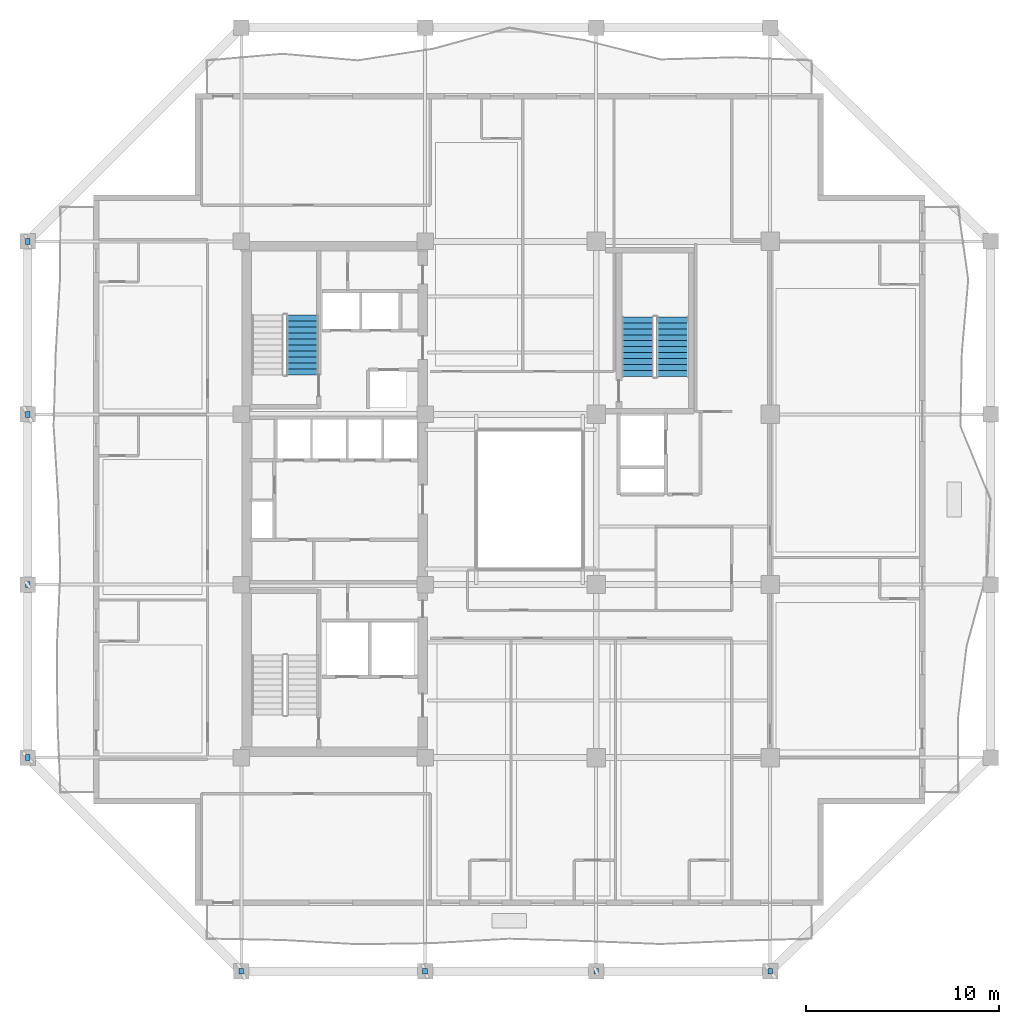
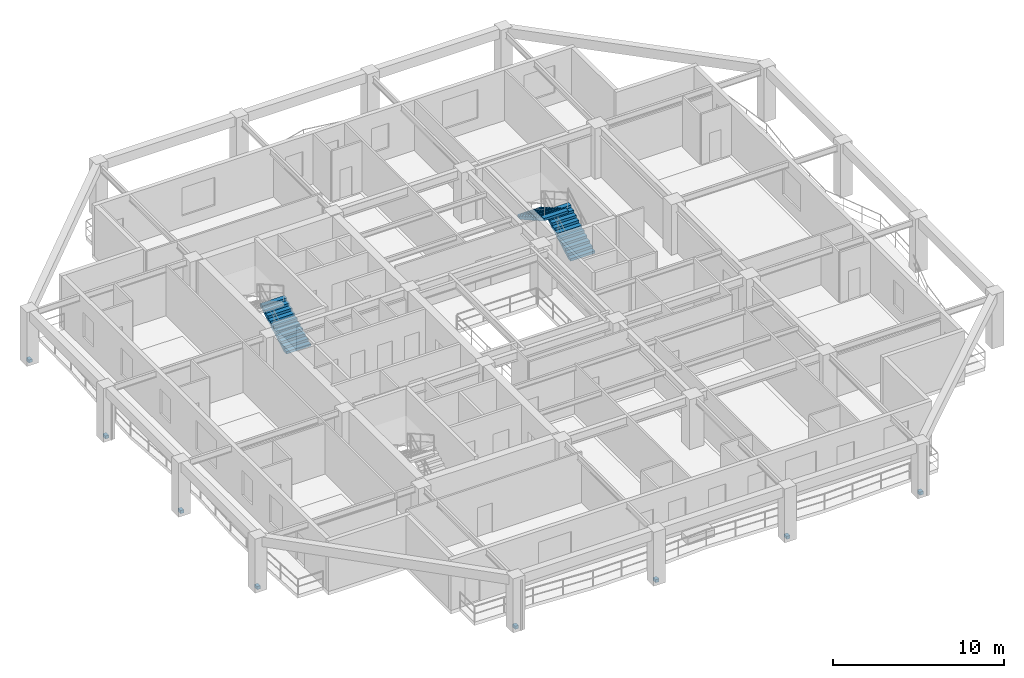
# One storey, part 7 of 13: 8 discrete accessories, 3 stair flights, 2 elements without a shape of their own.
"""IFC4 building model written with IfcOpenShell, lengths in metres."""

from ifc_helpers import new_model, si_unit, direction, frame, origin, origin_2d, place, context, subcontext, project, spatial, polyline, rectangle, outline, extrude, material, type_object, element, aggregate, save


model = new_model("IFC4")

# Units and contexts
model_context = context("Model", 3, precision=1e-05, world=origin(), true_north=direction((0.0, 1.0)))
body_context = subcontext(model_context, "Body", "Model", "MODEL_VIEW")
ifc_project = project(units=[si_unit("LENGTHUNIT", "METRE"), si_unit("AREAUNIT", "SQUARE_METRE"), si_unit("VOLUMEUNIT", "CUBIC_METRE"), si_unit("PLANEANGLEUNIT", "RADIAN"), si_unit("MASSUNIT", "GRAM", prefix="KILO")], contexts=[model_context])

# Site, building, storey
site_placement = place(None, origin())
site = spatial("IfcSite", under=ifc_project, at=site_placement, CompositionType="ELEMENT")
building_placement = place(site_placement, origin())
building = spatial("IfcBuilding", under=site, at=building_placement, Name="Kundavana Baori Tower", CompositionType="ELEMENT")
storey_placement = place(building_placement, frame((0.0, 0.0, 181.0)))
storey = spatial("IfcBuildingStorey", under=building, at=storey_placement, Name="L44", CompositionType="ELEMENT", Elevation=181.0)

# Stair, stair flight
ifc_material_1 = material(Name="Concrete C40/50", Category="concrete")
stair_type = type_object("IfcStairType", Name="STR-DOG-1650", PredefinedType="HALF_TURN_STAIR", material=ifc_material_1)
stair_1_placement = place(storey_placement, origin())
stair_1 = element("IfcStair", 1, at=stair_1_placement, inside=storey, type_object=stair_type, Name="L44 Protected Exit Stair ST2", PredefinedType="HALF_TURN_STAIR")
ifc_material_2 = material(Name="Concrete C40/50", Category="concrete")
stair_flight_type = type_object("IfcStairFlightType", Name="SFL-RC-1650", PredefinedType="STRAIGHT", material=ifc_material_2)
stair_flight_1_placement = place(storey_placement, frame((18.614990234375, 35.050048828125, 0.0), z_axis=(0.0, 0.0, 1.0), x_axis=(0.0, 1.0, 0.0)))
stair_flight_1 = element("IfcStairFlight", 2, at=stair_flight_1_placement, type_object=stair_flight_type, Name="ST2 flight 1", NumberOfRisers=11, NumberOfTreads=10, PredefinedType="STRAIGHT", RiserHeight=0.175, TreadLength=0.31, context=body_context, shape_type="SweptSolid", body=[
    extrude(outline(polyline([(0.0, 0.0), (0.0, 0.175048828125), (0.31005859375, 0.175048828125), (0.31005859375, 0.35009765625), (0.6201171875, 0.35009765625), (0.6201171875, 0.52490234375), (0.929931640625, 0.52490234375), (0.929931640625, 0.699951171875), (1.239990234375, 0.699951171875), (1.239990234375, 0.875), (1.550048828125, 0.875), (1.550048828125, 1.050048828125), (1.860107421875, 1.050048828125), (1.860107421875, 1.22509765625), (2.169921875, 1.22509765625), (2.169921875, 1.39990234375), (2.47998046875, 1.39990234375), (2.47998046875, 1.574951171875), (2.7900390625, 1.574951171875), (2.7900390625, 1.75), (3.10009765625, 1.75), (3.10009765625, 1.925048828125), (3.10009765625, 1.577880859375), (0.304931640625, 0.0), (0.0, 0.0)])), frame((0.0, 0.824951171875, 0.0), z_axis=(0.0, -1.0, 0.0), x_axis=(1.0, 0.0, 0.0)), (0.0, 0.0, 1.0), 1.64990234375),
])
aggregate(stair_1, [stair_flight_1])

# Stair, stair flights
stair_2_placement = place(storey_placement, origin())
stair_2 = element("IfcStair", 3, at=stair_2_placement, inside=storey, type_object=stair_type, Name="L44 Protected Exit Stair ST3", PredefinedType="HALF_TURN_STAIR")
stair_flight_2_placement = place(storey_placement, frame((37.7548828125, 34.949951171875, 0.0), z_axis=(0.0, 0.0, 1.0), x_axis=(0.0, 1.0, 0.0)))
stair_flight_2 = element("IfcStairFlight", 4, at=stair_flight_2_placement, type_object=stair_flight_type, Name="ST3 flight 1", NumberOfRisers=11, NumberOfTreads=10, PredefinedType="STRAIGHT", RiserHeight=0.175, TreadLength=0.31, context=body_context, shape_type="SweptSolid", body=[
    extrude(outline(polyline([(0.0, 0.0), (0.0, 0.175048828125), (0.31005859375, 0.175048828125), (0.31005859375, 0.35009765625), (0.6201171875, 0.35009765625), (0.6201171875, 0.52490234375), (0.929931640625, 0.52490234375), (0.929931640625, 0.699951171875), (1.239990234375, 0.699951171875), (1.239990234375, 0.875), (1.550048828125, 0.875), (1.550048828125, 1.050048828125), (1.860107421875, 1.050048828125), (1.860107421875, 1.22509765625), (2.169921875, 1.22509765625), (2.169921875, 1.39990234375), (2.47998046875, 1.39990234375), (2.47998046875, 1.574951171875), (2.7900390625, 1.574951171875), (2.7900390625, 1.75), (3.10009765625, 1.75), (3.10009765625, 1.925048828125), (3.10009765625, 1.577880859375), (0.304931640625, 0.0), (0.0, 0.0)])), frame((0.0, 0.824951171875, 0.0), z_axis=(0.0, -1.0, 0.0), x_axis=(1.0, 0.0, 0.0)), (0.0, 0.0, 1.0), 1.64990234375),
])
stair_flight_3_placement = place(storey_placement, frame((35.945068359375, 38.050048828125, 1.925048828125), z_axis=(0.0, 0.0, 1.0), x_axis=(0.0, -1.0, 0.0)))
stair_flight_3 = element("IfcStairFlight", 5, at=stair_flight_3_placement, type_object=stair_flight_type, Name="ST3 flight 2", NumberOfRisers=11, NumberOfTreads=10, PredefinedType="STRAIGHT", RiserHeight=0.175, TreadLength=0.31, context=body_context, shape_type="SweptSolid", body=[
    extrude(outline(polyline([(0.0, 0.0), (0.0, 0.175048828125), (0.31005859375, 0.175048828125), (0.31005859375, 0.35009765625), (0.6201171875, 0.35009765625), (0.6201171875, 0.52490234375), (0.929931640625, 0.52490234375), (0.929931640625, 0.699951171875), (1.239990234375, 0.699951171875), (1.239990234375, 0.875), (1.550048828125, 0.875), (1.550048828125, 1.050048828125), (1.860107421875, 1.050048828125), (1.860107421875, 1.22509765625), (2.169921875, 1.22509765625), (2.169921875, 1.39990234375), (2.47998046875, 1.39990234375), (2.47998046875, 1.574951171875), (2.7900390625, 1.574951171875), (2.7900390625, 1.75), (3.10009765625, 1.75), (3.10009765625, 1.925048828125), (3.10009765625, 1.577880859375), (0.304931640625, 0.0), (0.0, 0.0)])), frame((0.0, 0.824951171875, 0.0), z_axis=(0.0, -1.0, 0.0), x_axis=(1.0, 0.0, 0.0)), (0.0, 0.0, 1.0), 1.64990234375),
])
aggregate(stair_2, [stair_flight_2, stair_flight_3])

# Discrete accessories
ifc_material_3 = material(Name="Structural Steel S355JR", Category="steel")
discrete_accessory_type = type_object("IfcDiscreteAccessoryType", Name="ACC-BRK-FIN", PredefinedType="BRACKET", material=ifc_material_3)
for number, where, z_axis, x_axis, name in (
    (6, (15.449951171875, 4.199951171875, 0.0), (0.0, 0.0, 1.0), (1.0, 0.0, 0.0), "L44 Stainless Fin Anchor Bracket 1"),
    (7, (24.949951171875, 4.199951171875, 0.0), (0.0, 0.0, 1.0), (1.0, 0.0, 0.0), "L44 Stainless Fin Anchor Bracket 2"),
    (8, (33.800048828125, 4.199951171875, 0.0), (0.0, 0.0, 1.0), (1.0, 0.0, 0.0), "L44 Stainless Fin Anchor Bracket 3"),
    (9, (42.800048828125, 4.199951171875, 0.0), (0.0, 0.0, 1.0), (1.0, 0.0, 0.0), "L44 Stainless Fin Anchor Bracket 4"),
    (10, (4.39990234375, 15.25, 0.0), (0.0, 0.0, 1.0), (1.0, 0.0, 0.0), "L44 Stainless Fin Anchor Bracket 5"),
    (11, (4.39990234375, 24.199951171875, 0.0), (0.0, 0.0, 1.0), (1.0, 0.0, 0.0), "L44 Stainless Fin Anchor Bracket 6"),
    (12, (4.39990234375, 33.0, 0.0), (0.0, 0.0, 1.0), (1.0, 0.0, 0.0), "L44 Stainless Fin Anchor Bracket 7"),
    (13, (4.39990234375, 41.949951171875, 0.0), (0.0, 0.0, 1.0), (1.0, 0.0, 0.0), "L44 Stainless Fin Anchor Bracket 8"),
):
    element("IfcDiscreteAccessory", number, at=place(storey_placement, frame(where, z_axis=z_axis, x_axis=x_axis)), inside=storey, type_object=discrete_accessory_type, Name=name, PredefinedType="BRACKET", context=body_context, shape_type="SweptSolid", body=[
        extrude(rectangle(XDim=0.239990234375, YDim=0.300048828125, at=origin_2d()), origin(), (0.0, 0.0, 1.0), 0.219970703125),
    ])

save(model, "model.ifc")
